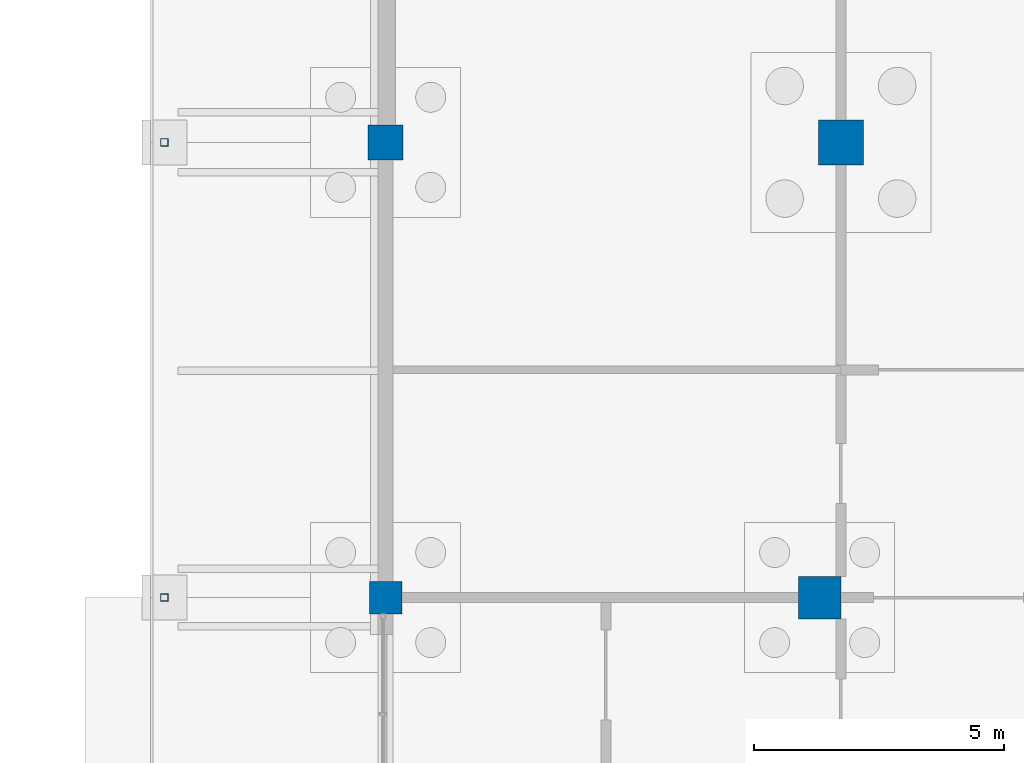
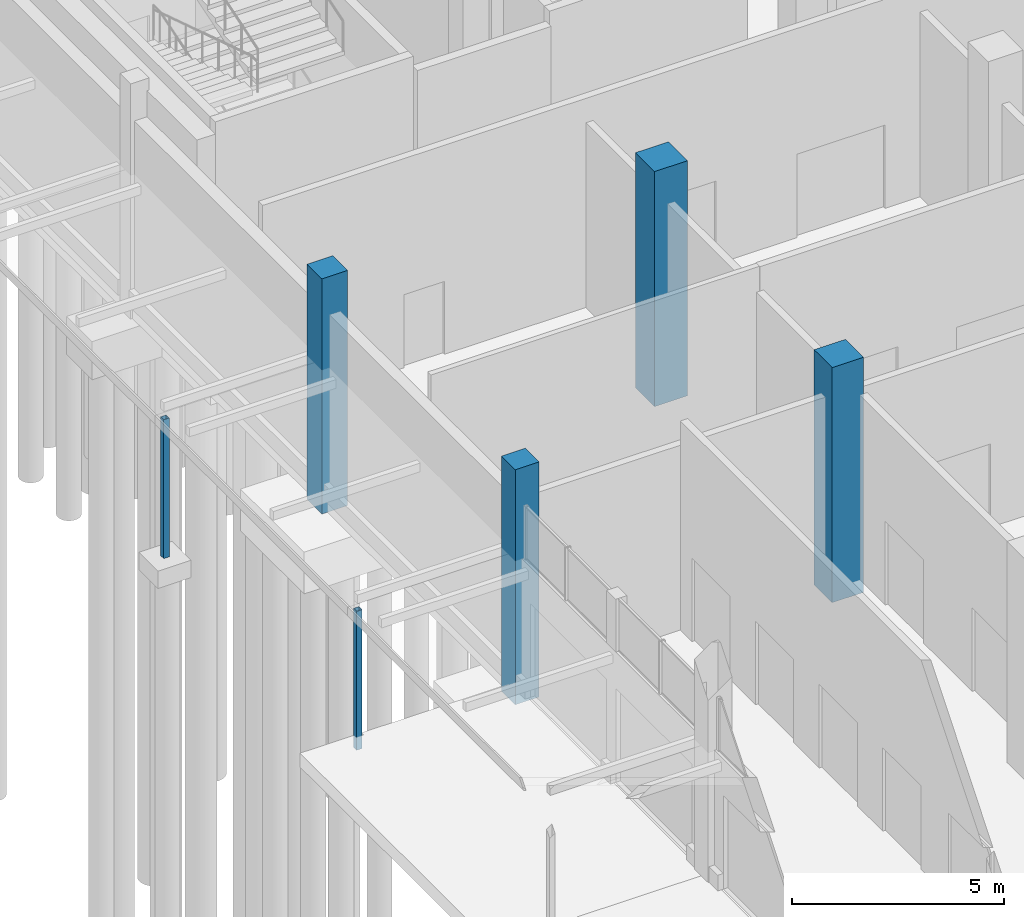
# One storey, part 22 of 129: 6 columns.
"""IFC4 building model written with IfcOpenShell, lengths in metres."""

from ifc_helpers import new_model, si_unit, direction, frame, origin, origin_2d, place, context, subcontext, project, spatial, rectangle, hollow_rectangle, extrude, material, material_profile, profile_set, type_object, element, save


model = new_model("IFC4")

# Units and contexts
model_context = context("Model", 3, precision=1e-05, world=origin(), true_north=direction((0.0, 1.0)))
body_context = subcontext(model_context, "Body", "Model", "MODEL_VIEW")
ifc_project = project(units=[si_unit("LENGTHUNIT", "METRE"), si_unit("AREAUNIT", "SQUARE_METRE"), si_unit("VOLUMEUNIT", "CUBIC_METRE"), si_unit("PLANEANGLEUNIT", "RADIAN"), si_unit("MASSUNIT", "GRAM", prefix="KILO")], contexts=[model_context])

# Site, building, storey
site_placement = place(None, origin())
site = spatial("IfcSite", under=ifc_project, at=site_placement, CompositionType="ELEMENT")
building_placement = place(site_placement, origin())
building = spatial("IfcBuilding", under=site, at=building_placement, Name="Shirokan Park Arena", CompositionType="ELEMENT")
storey_placement = place(building_placement, origin())
storey = spatial("IfcBuildingStorey", under=building, at=storey_placement, Name="L00", CompositionType="ELEMENT", Elevation=0.0)

# Columns
ifc_material_1 = material(Name="Concrete C35", Category="concrete")
ifc_material_profile_1 = material_profile(ifc_material_1, rectangle(XDim=0.64990234375, YDim=0.64990234375, at=origin_2d()), Name="650x650")
ifc_profile_set_1 = profile_set([ifc_material_profile_1], Name="Concrete C35")
column_type_1 = type_object("IfcColumnType", Name="RC column 650x650", PredefinedType="COLUMN", material=ifc_profile_set_1)
column_1_placement = place(storey_placement, frame((0.0, 63.699951171875, -0.39990234375), z_axis=(0.0, 0.0, 1.0), x_axis=(1.0, 0.0, 0.0)))
element("IfcColumn", 1, at=column_1_placement, inside=storey, type_object=column_type_1, Name="Column 1H L00", PredefinedType="COLUMN", context=body_context, shape_type="SweptSolid", body=[
    extrude(rectangle(XDim=0.64990234375, YDim=0.64990234375, at=origin_2d()), origin(), (0.0, 0.0, 1.0), 6.77001953125),
])
ifc_material_profile_2 = material_profile(ifc_material_1, rectangle(XDim=0.699951171875, YDim=0.699951171875, at=origin_2d()), Name="700x700")
ifc_profile_set_2 = profile_set([ifc_material_profile_2], Name="Concrete C35")
column_type_2 = type_object("IfcColumnType", Name="RC column 700x700", PredefinedType="COLUMN", material=ifc_profile_set_2)
column_2_placement = place(storey_placement, frame((0.0, 72.800048828125, -0.39990234375), z_axis=(0.0, 0.0, 1.0), x_axis=(1.0, 0.0, 0.0)))
element("IfcColumn", 2, at=column_2_placement, inside=storey, type_object=column_type_2, Name="Column 1J L00", PredefinedType="COLUMN", context=body_context, shape_type="SweptSolid", body=[
    extrude(rectangle(XDim=0.699951171875, YDim=0.699951171875, at=origin_2d()), origin(), (0.0, 0.0, 1.0), 6.77001953125),
])
ifc_material_profile_3 = material_profile(ifc_material_1, rectangle(XDim=0.85009765625, YDim=0.85009765625, at=origin_2d()), Name="850x850")
ifc_profile_set_3 = profile_set([ifc_material_profile_3], Name="Concrete C35")
column_type_3 = type_object("IfcColumnType", Name="RC column 850x850", PredefinedType="COLUMN", material=ifc_profile_set_3)
column_3_placement = place(storey_placement, frame((8.675048828125, 63.699951171875, -0.39990234375), z_axis=(0.0, 0.0, 1.0), x_axis=(1.0, 0.0, 0.0)))
element("IfcColumn", 3, at=column_3_placement, inside=storey, type_object=column_type_3, Name="Column 2H L00", PredefinedType="COLUMN", context=body_context, shape_type="SweptSolid", body=[
    extrude(rectangle(XDim=0.85009765625, YDim=0.85009765625, at=origin_2d()), origin(), (0.0, 0.0, 1.0), 6.77001953125),
])
ifc_material_profile_4 = material_profile(ifc_material_1, rectangle(XDim=0.89990234375, YDim=0.89990234375, at=origin_2d()), Name="900x900")
ifc_profile_set_4 = profile_set([ifc_material_profile_4], Name="Concrete C35")
column_type_4 = type_object("IfcColumnType", Name="RC column 900x900", PredefinedType="COLUMN", material=ifc_profile_set_4)
column_4_placement = place(storey_placement, frame((9.10009765625, 72.800048828125, -0.39990234375), z_axis=(0.0, 0.0, 1.0), x_axis=(1.0, 0.0, 0.0)))
element("IfcColumn", 4, at=column_4_placement, inside=storey, type_object=column_type_4, Name="Column 2J L00", PredefinedType="COLUMN", context=body_context, shape_type="SweptSolid", body=[
    extrude(rectangle(XDim=0.89990234375, YDim=0.89990234375, at=origin_2d()), origin(), (0.0, 0.0, 1.0), 6.77001953125),
])
ifc_material_2 = material(Name="Steel S355", Category="steel")
ifc_material_profile_5 = material_profile(ifc_material_2, hollow_rectangle(XDim=0.14990234375, YDim=0.14990234375, WallThickness=0.008056640625, at=origin_2d()), Name="RHS 150x150x8")
ifc_profile_set_5 = profile_set([ifc_material_profile_5], Name="Steel S355")
column_type_5 = type_object("IfcColumnType", Name="Steel post RHS 150x150x8", PredefinedType="COLUMN", material=ifc_profile_set_5)
for number, where, z_axis, x_axis, name in (
    (5, (-4.425048828125, 72.800048828125, -0.39990234375), (0.0, 0.0, 1.0), (1.0, 0.0, 0.0), "Canopy post west grid 5"),
    (6, (-4.425048828125, 63.699951171875, -0.39990234375), (0.0, 0.0, 1.0), (1.0, 0.0, 0.0), "Canopy post west grid 6"),
):
    element("IfcColumn", number, at=place(storey_placement, frame(where, z_axis=z_axis, x_axis=x_axis)), inside=storey, type_object=column_type_5, Name=name, PredefinedType="COLUMN", context=body_context, shape_type="SweptSolid", body=[
        extrude(hollow_rectangle(XDim=0.14990234375, YDim=0.14990234375, WallThickness=0.008056640625, at=origin_2d()), origin(), (0.0, 0.0, 1.0), 4.0),
    ])

save(model, "model.ifc")
